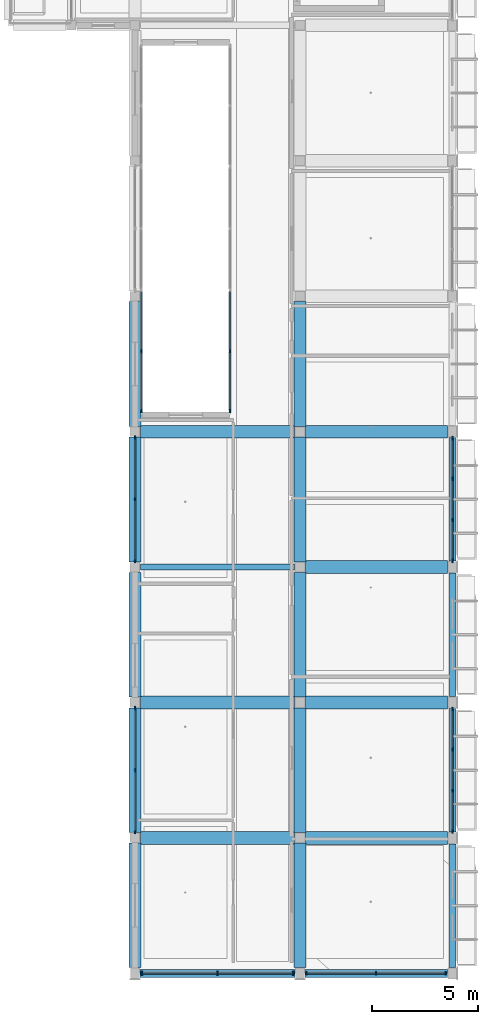
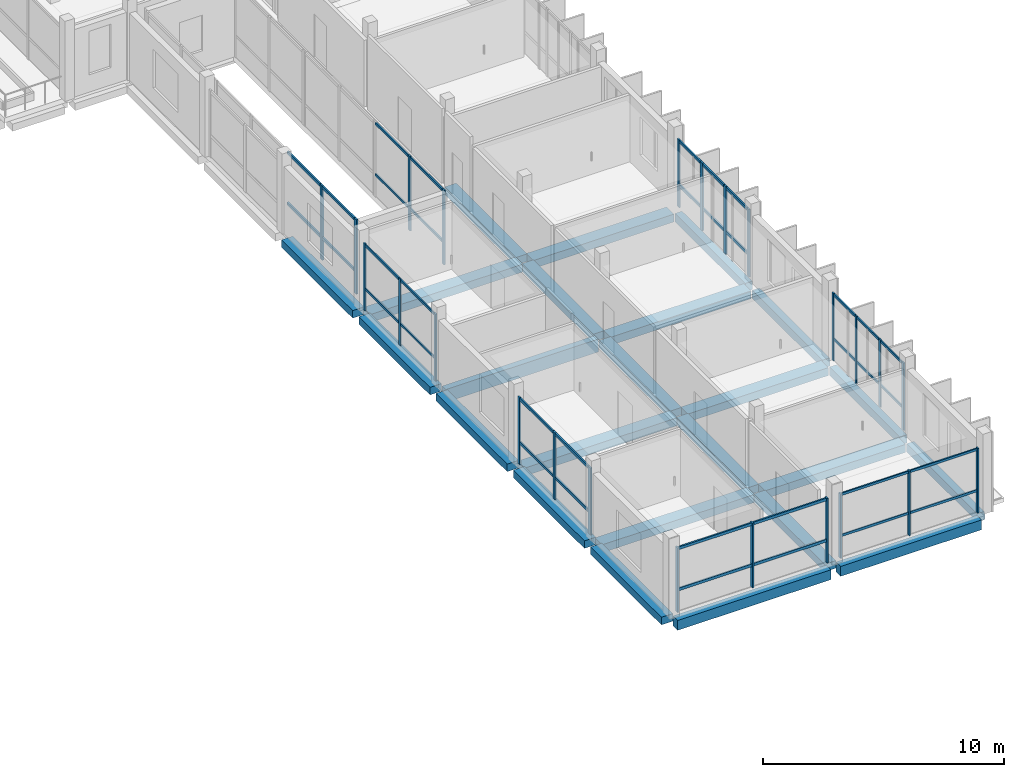
# One storey, part 31 of 86: 40 members, 24 beams, 8 elements without a shape of their own.
"""IFC4 building model written with IfcOpenShell, lengths in metres."""

from ifc_helpers import new_model, si_unit, derived_unit, direction, frame, origin, origin_2d, place, context, subcontext, project, spatial, rectangle, extrude, material, material_profile, profile_set, type_object, element, aggregate, save


model = new_model("IFC4")

# Units and contexts
model_context = context("Model", 3, precision=1e-05, world=origin(), true_north=direction((0.0, 1.0)))
body_context = subcontext(model_context, "Body", "Model", "MODEL_VIEW")
ifc_project = project(units=[si_unit("LENGTHUNIT", "METRE"), si_unit("AREAUNIT", "SQUARE_METRE"), si_unit("VOLUMEUNIT", "CUBIC_METRE"), si_unit("PLANEANGLEUNIT", "RADIAN"), si_unit("MASSUNIT", "GRAM", prefix="KILO"), derived_unit("THERMALTRANSMITTANCEUNIT", [(si_unit("POWERUNIT", "WATT"), 1), (si_unit("LENGTHUNIT", "METRE"), -2), (si_unit("THERMODYNAMICTEMPERATUREUNIT", "KELVIN"), -1)])], contexts=[model_context])

# Site, building, storey
site_placement = place(None, origin())
site = spatial("IfcSite", under=ifc_project, at=site_placement, CompositionType="ELEMENT")
building_placement = place(site_placement, origin())
building = spatial("IfcBuilding", under=site, at=building_placement, Name="Braskholm Square Health Centre", CompositionType="ELEMENT")
storey_placement = place(building_placement, frame((0.0, 0.0, 13.5)))
storey = spatial("IfcBuildingStorey", under=building, at=storey_placement, Name="L04", CompositionType="ELEMENT", Elevation=13.5)

# Curtain wall, members
ifc_material_1 = material(Name="Low-E triple insulating glass (VLT 0.64)", Category="glass")
curtain_wall_type_1 = type_object("IfcCurtainWallType", Name="UnitisedCurtainWall6200x3650", PredefinedType="NOTDEFINED", material=ifc_material_1)
curtain_wall_1_placement = place(storey_placement, origin())
curtain_wall_1 = element("IfcCurtainWall", 1, at=curtain_wall_1_placement, inside=storey, type_object=curtain_wall_type_1, Name="East Outer unitised curtain wall CW-L04-0068", PredefinedType="NOTDEFINED")
ifc_material_2 = material(Name="Architectural bronze anodised aluminium", Category="aluminium")
ifc_material_profile_1 = material_profile(ifc_material_2, rectangle(XDim=0.06494140625, YDim=0.14990234375, at=origin_2d()), Name="ALU-65X150")
ifc_profile_set_1 = profile_set([ifc_material_profile_1], Name="Architectural bronze anodised aluminium")
member_type_1 = type_object("IfcMemberType", Name="CurtainWallMullion65x150", PredefinedType="MULLION", material=ifc_profile_set_1)
member_1_placement = place(storey_placement, frame((163.800048828125, 10.9052734375, 0.0), z_axis=(0.0, 0.0, 1.0), x_axis=(1.0, 0.0, 0.0)))
member_1 = element("IfcMember", 2, at=member_1_placement, type_object=member_type_1, Name="CW-L04-0068 vertical mullion 1", PredefinedType="MULLION", context=body_context, shape_type="SweptSolid", body=[
    extrude(rectangle(XDim=0.06494140625, YDim=0.14990234375, at=origin_2d()), origin(), (0.0, 0.0, 1.0), 3.419921875),
])
member_2_placement = place(storey_placement, frame((163.800048828125, 12.8232421875, 0.0), z_axis=(0.0, 0.0, 1.0), x_axis=(1.0, 0.0, 0.0)))
member_2 = element("IfcMember", 3, at=member_2_placement, type_object=member_type_1, Name="CW-L04-0068 vertical mullion 2", PredefinedType="MULLION", context=body_context, shape_type="SweptSolid", body=[
    extrude(rectangle(XDim=0.06494140625, YDim=0.14990234375, at=origin_2d()), origin(), (0.0, 0.0, 1.0), 3.419921875),
])
member_3_placement = place(storey_placement, frame((163.800048828125, 14.776611328125, 0.0), z_axis=(0.0, 0.0, 1.0), x_axis=(1.0, 0.0, 0.0)))
member_3 = element("IfcMember", 4, at=member_3_placement, type_object=member_type_1, Name="CW-L04-0068 vertical mullion 3", PredefinedType="MULLION", context=body_context, shape_type="SweptSolid", body=[
    extrude(rectangle(XDim=0.06494140625, YDim=0.14990234375, at=origin_2d()), origin(), (0.0, 0.0, 1.0), 3.419921875),
])
member_4_placement = place(storey_placement, frame((163.800048828125, 16.69482421875, 0.0), z_axis=(0.0, 0.0, 1.0), x_axis=(1.0, 0.0, 0.0)))
member_4 = element("IfcMember", 5, at=member_4_placement, type_object=member_type_1, Name="CW-L04-0068 vertical mullion 4", PredefinedType="MULLION", context=body_context, shape_type="SweptSolid", body=[
    extrude(rectangle(XDim=0.06494140625, YDim=0.14990234375, at=origin_2d()), origin(), (0.0, 0.0, 1.0), 3.419921875),
])

curtain_wall_2_placement = place(storey_placement, origin())
curtain_wall_2 = element("IfcCurtainWall", 6, at=curtain_wall_2_placement, inside=storey, type_object=curtain_wall_type_1, Name="East Valley unitised curtain wall CW-L04-0130", PredefinedType="NOTDEFINED")
member_5_placement = place(storey_placement, frame((148.800048828125, 29.5244140625, 0.0), z_axis=(0.0, 0.0, 1.0), x_axis=(1.0, 0.0, 0.0)))
member_5 = element("IfcMember", 7, at=member_5_placement, type_object=member_type_1, Name="CW-L04-0130 vertical mullion 1", PredefinedType="MULLION", context=body_context, shape_type="SweptSolid", body=[
    extrude(rectangle(XDim=0.06494140625, YDim=0.14990234375, at=origin_2d()), origin(), (0.0, 0.0, 1.0), 3.389892578125),
])
member_6_placement = place(storey_placement, frame((148.800048828125, 26.60009765625, 0.0), z_axis=(0.0, 0.0, 1.0), x_axis=(1.0, 0.0, 0.0)))
member_6 = element("IfcMember", 8, at=member_6_placement, type_object=member_type_1, Name="CW-L04-0130 vertical mullion 2", PredefinedType="MULLION", context=body_context, shape_type="SweptSolid", body=[
    extrude(rectangle(XDim=0.06494140625, YDim=0.14990234375, at=origin_2d()), origin(), (0.0, 0.0, 1.0), 3.389892578125),
])
member_7_placement = place(storey_placement, frame((148.800048828125, 23.675537109375, 0.0), z_axis=(0.0, 0.0, 1.0), x_axis=(1.0, 0.0, 0.0)))
member_7 = element("IfcMember", 9, at=member_7_placement, type_object=member_type_1, Name="CW-L04-0130 vertical mullion 3", PredefinedType="MULLION", context=body_context, shape_type="SweptSolid", body=[
    extrude(rectangle(XDim=0.06494140625, YDim=0.14990234375, at=origin_2d()), origin(), (0.0, 0.0, 1.0), 3.389892578125),
])

curtain_wall_3_placement = place(storey_placement, origin())
curtain_wall_3 = element("IfcCurtainWall", 10, at=curtain_wall_3_placement, inside=storey, type_object=curtain_wall_type_1, Name="Wing End unitised curtain wall CW-L04-0162", PredefinedType="NOTDEFINED")
member_8_placement = place(storey_placement, frame((156.919921875, 4.199951171875, 0.0), z_axis=(0.0, 0.0, 1.0), x_axis=(1.0, 0.0, 0.0)))
member_8 = element("IfcMember", 11, at=member_8_placement, type_object=member_type_1, Name="CW-L04-0162 vertical mullion 1", PredefinedType="MULLION", context=body_context, shape_type="SweptSolid", body=[
    extrude(rectangle(XDim=0.06494140625, YDim=0.14990234375, at=origin_2d()), origin(), (0.0, 0.0, 1.0), 3.27001953125),
])
member_9_placement = place(storey_placement, frame((160.199951171875, 4.199951171875, 0.0), z_axis=(0.0, 0.0, 1.0), x_axis=(1.0, 0.0, 0.0)))
member_9 = element("IfcMember", 12, at=member_9_placement, type_object=member_type_1, Name="CW-L04-0162 vertical mullion 2", PredefinedType="MULLION", context=body_context, shape_type="SweptSolid", body=[
    extrude(rectangle(XDim=0.06494140625, YDim=0.14990234375, at=origin_2d()), origin(), (0.0, 0.0, 1.0), 3.27001953125),
])
member_10_placement = place(storey_placement, frame((163.480224609375, 4.199951171875, 0.0), z_axis=(0.0, 0.0, 1.0), x_axis=(1.0, 0.0, 0.0)))
member_10 = element("IfcMember", 13, at=member_10_placement, type_object=member_type_1, Name="CW-L04-0162 vertical mullion 3", PredefinedType="MULLION", context=body_context, shape_type="SweptSolid", body=[
    extrude(rectangle(XDim=0.06494140625, YDim=0.14990234375, at=origin_2d()), origin(), (0.0, 0.0, 1.0), 3.27001953125),
])

curtain_wall_type_2 = type_object("IfcCurtainWallType", Name="UnitisedCurtainWall5400x3800", PredefinedType="NOTDEFINED", material=ifc_material_1)
curtain_wall_4_placement = place(storey_placement, origin())
curtain_wall_4 = element("IfcCurtainWall", 14, at=curtain_wall_4_placement, inside=storey, type_object=curtain_wall_type_2, Name="EC1 Court E unitised curtain wall CW-L04-0340", PredefinedType="NOTDEFINED")
member_11_placement = place(storey_placement, frame((153.300048828125, 33.60107421875, 0.0), z_axis=(0.0, 0.0, 1.0), x_axis=(1.0, 0.0, 0.0)))
member_11 = element("IfcMember", 15, at=member_11_placement, type_object=member_type_1, Name="CW-L04-0340 vertical mullion 2", PredefinedType="MULLION", context=body_context, shape_type="SweptSolid", body=[
    extrude(rectangle(XDim=0.06494140625, YDim=0.14990234375, at=origin_2d()), origin(), (0.0, 0.0, 1.0), 3.77001953125),
])
member_12_placement = place(storey_placement, frame((153.300048828125, 30.7744140625, 0.0), z_axis=(0.0, 0.0, 1.0), x_axis=(1.0, 0.0, 0.0)))
member_12 = element("IfcMember", 16, at=member_12_placement, type_object=member_type_1, Name="CW-L04-0340 vertical mullion 3", PredefinedType="MULLION", context=body_context, shape_type="SweptSolid", body=[
    extrude(rectangle(XDim=0.06494140625, YDim=0.14990234375, at=origin_2d()), origin(), (0.0, 0.0, 1.0), 3.77001953125),
])

curtain_wall_5_placement = place(storey_placement, origin())
curtain_wall_5 = element("IfcCurtainWall", 17, at=curtain_wall_5_placement, inside=storey, type_object=curtain_wall_type_1, Name="East Outer unitised curtain wall CW-L04-0069", PredefinedType="NOTDEFINED")
ifc_material_profile_2 = material_profile(ifc_material_2, rectangle(XDim=0.074951171875, YDim=0.179931640625, at=origin_2d()), Name="ALU-75X180")
ifc_profile_set_2 = profile_set([ifc_material_profile_2], Name="Architectural bronze anodised aluminium")
member_type_2 = type_object("IfcMemberType", Name="CurtainWallMullion75x180", PredefinedType="MULLION", material=ifc_profile_set_2)
member_13_placement = place(storey_placement, frame((163.800048828125, 23.705078125, 0.0), z_axis=(0.0, 0.0, 1.0), x_axis=(1.0, 0.0, 0.0)))
member_13 = element("IfcMember", 18, at=member_13_placement, type_object=member_type_2, Name="CW-L04-0069 vertical mullion 1", PredefinedType="MULLION", context=body_context, shape_type="SweptSolid", body=[
    extrude(rectangle(XDim=0.074951171875, YDim=0.179931640625, at=origin_2d()), origin(), (0.0, 0.0, 1.0), 3.419921875),
])
member_14_placement = place(storey_placement, frame((163.800048828125, 25.623291015625, 0.0), z_axis=(0.0, 0.0, 1.0), x_axis=(1.0, 0.0, 0.0)))
member_14 = element("IfcMember", 19, at=member_14_placement, type_object=member_type_2, Name="CW-L04-0069 vertical mullion 2", PredefinedType="MULLION", context=body_context, shape_type="SweptSolid", body=[
    extrude(rectangle(XDim=0.074951171875, YDim=0.179931640625, at=origin_2d()), origin(), (0.0, 0.0, 1.0), 3.419921875),
])
member_15_placement = place(storey_placement, frame((163.800048828125, 27.57666015625, 0.0), z_axis=(0.0, 0.0, 1.0), x_axis=(1.0, 0.0, 0.0)))
member_15 = element("IfcMember", 20, at=member_15_placement, type_object=member_type_2, Name="CW-L04-0069 vertical mullion 3", PredefinedType="MULLION", context=body_context, shape_type="SweptSolid", body=[
    extrude(rectangle(XDim=0.074951171875, YDim=0.179931640625, at=origin_2d()), origin(), (0.0, 0.0, 1.0), 3.419921875),
])
member_16_placement = place(storey_placement, frame((163.800048828125, 29.494873046875, 0.0), z_axis=(0.0, 0.0, 1.0), x_axis=(1.0, 0.0, 0.0)))
member_16 = element("IfcMember", 21, at=member_16_placement, type_object=member_type_2, Name="CW-L04-0069 vertical mullion 4", PredefinedType="MULLION", context=body_context, shape_type="SweptSolid", body=[
    extrude(rectangle(XDim=0.074951171875, YDim=0.179931640625, at=origin_2d()), origin(), (0.0, 0.0, 1.0), 3.419921875),
])

curtain_wall_6_placement = place(storey_placement, origin())
curtain_wall_6 = element("IfcCurtainWall", 22, at=curtain_wall_6_placement, inside=storey, type_object=curtain_wall_type_1, Name="East Valley unitised curtain wall CW-L04-0129", PredefinedType="NOTDEFINED")
member_17_placement = place(storey_placement, frame((148.800048828125, 16.724609375, 0.0), z_axis=(0.0, 0.0, 1.0), x_axis=(1.0, 0.0, 0.0)))
member_17 = element("IfcMember", 23, at=member_17_placement, type_object=member_type_2, Name="CW-L04-0129 vertical mullion 1", PredefinedType="MULLION", context=body_context, shape_type="SweptSolid", body=[
    extrude(rectangle(XDim=0.074951171875, YDim=0.179931640625, at=origin_2d()), origin(), (0.0, 0.0, 1.0), 3.389892578125),
])
member_18_placement = place(storey_placement, frame((148.800048828125, 13.800048828125, 0.0), z_axis=(0.0, 0.0, 1.0), x_axis=(1.0, 0.0, 0.0)))
member_18 = element("IfcMember", 24, at=member_18_placement, type_object=member_type_2, Name="CW-L04-0129 vertical mullion 2", PredefinedType="MULLION", context=body_context, shape_type="SweptSolid", body=[
    extrude(rectangle(XDim=0.074951171875, YDim=0.179931640625, at=origin_2d()), origin(), (0.0, 0.0, 1.0), 3.389892578125),
])
member_19_placement = place(storey_placement, frame((148.800048828125, 10.87548828125, 0.0), z_axis=(0.0, 0.0, 1.0), x_axis=(1.0, 0.0, 0.0)))
member_19 = element("IfcMember", 25, at=member_19_placement, type_object=member_type_2, Name="CW-L04-0129 vertical mullion 3", PredefinedType="MULLION", context=body_context, shape_type="SweptSolid", body=[
    extrude(rectangle(XDim=0.074951171875, YDim=0.179931640625, at=origin_2d()), origin(), (0.0, 0.0, 1.0), 3.389892578125),
])

curtain_wall_7_placement = place(storey_placement, origin())
curtain_wall_7 = element("IfcCurtainWall", 26, at=curtain_wall_7_placement, inside=storey, type_object=curtain_wall_type_1, Name="Wing End unitised curtain wall CW-L04-0161", PredefinedType="NOTDEFINED")
member_20_placement = place(storey_placement, frame((149.123291015625, 4.199951171875, 0.0), z_axis=(0.0, 0.0, 1.0), x_axis=(1.0, 0.0, 0.0)))
member_20 = element("IfcMember", 27, at=member_20_placement, type_object=member_type_2, Name="CW-L04-0161 vertical mullion 1", PredefinedType="MULLION", context=body_context, shape_type="SweptSolid", body=[
    extrude(rectangle(XDim=0.074951171875, YDim=0.179931640625, at=origin_2d()), origin(), (0.0, 0.0, 1.0), 3.27001953125),
])
member_21_placement = place(storey_placement, frame((152.699951171875, 4.199951171875, 0.0), z_axis=(0.0, 0.0, 1.0), x_axis=(1.0, 0.0, 0.0)))
member_21 = element("IfcMember", 28, at=member_21_placement, type_object=member_type_2, Name="CW-L04-0161 vertical mullion 2", PredefinedType="MULLION", context=body_context, shape_type="SweptSolid", body=[
    extrude(rectangle(XDim=0.074951171875, YDim=0.179931640625, at=origin_2d()), origin(), (0.0, 0.0, 1.0), 3.27001953125),
])
member_22_placement = place(storey_placement, frame((156.276611328125, 4.199951171875, 0.0), z_axis=(0.0, 0.0, 1.0), x_axis=(1.0, 0.0, 0.0)))
member_22 = element("IfcMember", 29, at=member_22_placement, type_object=member_type_2, Name="CW-L04-0161 vertical mullion 3", PredefinedType="MULLION", context=body_context, shape_type="SweptSolid", body=[
    extrude(rectangle(XDim=0.074951171875, YDim=0.179931640625, at=origin_2d()), origin(), (0.0, 0.0, 1.0), 3.27001953125),
])

curtain_wall_8_placement = place(storey_placement, origin())
curtain_wall_8 = element("IfcCurtainWall", 30, at=curtain_wall_8_placement, inside=storey, type_object=curtain_wall_type_2, Name="EC1 Court W unitised curtain wall CW-L04-0339", PredefinedType="NOTDEFINED")
member_23_placement = place(storey_placement, frame((149.10009765625, 30.7744140625, 0.0), z_axis=(0.0, 0.0, 1.0), x_axis=(1.0, 0.0, 0.0)))
member_23 = element("IfcMember", 31, at=member_23_placement, type_object=member_type_2, Name="CW-L04-0339 vertical mullion 1", PredefinedType="MULLION", context=body_context, shape_type="SweptSolid", body=[
    extrude(rectangle(XDim=0.074951171875, YDim=0.179931640625, at=origin_2d()), origin(), (0.0, 0.0, 1.0), 3.77001953125),
])
member_24_placement = place(storey_placement, frame((149.10009765625, 33.60107421875, 0.0), z_axis=(0.0, 0.0, 1.0), x_axis=(1.0, 0.0, 0.0)))
member_24 = element("IfcMember", 32, at=member_24_placement, type_object=member_type_2, Name="CW-L04-0339 vertical mullion 2", PredefinedType="MULLION", context=body_context, shape_type="SweptSolid", body=[
    extrude(rectangle(XDim=0.074951171875, YDim=0.179931640625, at=origin_2d()), origin(), (0.0, 0.0, 1.0), 3.77001953125),
])

# Member
ifc_material_profile_3 = material_profile(ifc_material_2, rectangle(XDim=0.06494140625, YDim=0.1201171875, at=origin_2d()), Name="ALU-65X120")
ifc_profile_set_3 = profile_set([ifc_material_profile_3], Name="Architectural bronze anodised aluminium")
member_type_3 = type_object("IfcMemberType", Name="CurtainWallTransom65x120", PredefinedType="USERDEFINED", material=ifc_profile_set_3)
member_25_placement = place(storey_placement, frame((163.800048828125, 10.9150390625, 1.1201171875), z_axis=(0.0, 1.0, 0.0), x_axis=(-1.0, 0.0, 0.0)))
member_25 = element("IfcMember", 33, at=member_25_placement, type_object=member_type_3, Name="CW-L04-0068 horizontal transom 1", ObjectType="TRANSOM", PredefinedType="USERDEFINED", context=body_context, shape_type="SweptSolid", body=[
    extrude(rectangle(XDim=0.06494140625, YDim=0.1201171875, at=origin_2d()), origin(), (0.0, 0.0, 1.0), 5.77001953125),
])

member_26_placement = place(storey_placement, frame((163.800048828125, 10.9150390625, 3.35009765625), z_axis=(0.0, 1.0, 0.0), x_axis=(-1.0, 0.0, 0.0)))
member_26 = element("IfcMember", 34, at=member_26_placement, type_object=member_type_3, Name="CW-L04-0068 horizontal transom 2", ObjectType="TRANSOM", PredefinedType="USERDEFINED", context=body_context, shape_type="SweptSolid", body=[
    extrude(rectangle(XDim=0.06494140625, YDim=0.1201171875, at=origin_2d()), origin(), (0.0, 0.0, 1.0), 5.77001953125),
])

aggregate(curtain_wall_1, [member_1, member_2, member_3, member_4, member_25, member_26])

member_27_placement = place(storey_placement, frame((148.800048828125, 29.514892578125, 1.1201171875), z_axis=(0.0, -1.0, 0.0), x_axis=(1.0, 0.0, 0.0)))
member_27 = element("IfcMember", 35, at=member_27_placement, type_object=member_type_3, Name="CW-L04-0130 horizontal transom 1", ObjectType="TRANSOM", PredefinedType="USERDEFINED", context=body_context, shape_type="SweptSolid", body=[
    extrude(rectangle(XDim=0.06494140625, YDim=0.1201171875, at=origin_2d()), origin(), (0.0, 0.0, 1.0), 5.829833984375),
])

member_28_placement = place(storey_placement, frame((148.800048828125, 29.514892578125, 3.320068359375), z_axis=(0.0, -1.0, 0.0), x_axis=(1.0, 0.0, 0.0)))
member_28 = element("IfcMember", 36, at=member_28_placement, type_object=member_type_3, Name="CW-L04-0130 horizontal transom 2", ObjectType="TRANSOM", PredefinedType="USERDEFINED", context=body_context, shape_type="SweptSolid", body=[
    extrude(rectangle(XDim=0.06494140625, YDim=0.1201171875, at=origin_2d()), origin(), (0.0, 0.0, 1.0), 5.829833984375),
])

aggregate(curtain_wall_2, [member_5, member_6, member_7, member_27, member_28])

member_29_placement = place(storey_placement, frame((156.925048828125, 4.199951171875, 1.1201171875), z_axis=(1.0, 0.0, 0.0), x_axis=(0.0, 1.0, 0.0)))
member_29 = element("IfcMember", 37, at=member_29_placement, type_object=member_type_3, Name="CW-L04-0162 horizontal transom 1", ObjectType="TRANSOM", PredefinedType="USERDEFINED", context=body_context, shape_type="SweptSolid", body=[
    extrude(rectangle(XDim=0.06494140625, YDim=0.1201171875, at=origin_2d()), origin(), (0.0, 0.0, 1.0), 6.550048828125),
])

member_30_placement = place(storey_placement, frame((156.925048828125, 4.199951171875, 3.199951171875), z_axis=(1.0, 0.0, 0.0), x_axis=(0.0, 1.0, 0.0)))
member_30 = element("IfcMember", 38, at=member_30_placement, type_object=member_type_3, Name="CW-L04-0162 horizontal transom 2", ObjectType="TRANSOM", PredefinedType="USERDEFINED", context=body_context, shape_type="SweptSolid", body=[
    extrude(rectangle(XDim=0.06494140625, YDim=0.1201171875, at=origin_2d()), origin(), (0.0, 0.0, 1.0), 6.550048828125),
])

aggregate(curtain_wall_3, [member_8, member_9, member_10, member_29, member_30])

member_31_placement = place(storey_placement, frame((153.300048828125, 36.4169921875, 1.1201171875), z_axis=(0.0, -1.0, 0.0), x_axis=(1.0, 0.0, 0.0)))
member_31 = element("IfcMember", 39, at=member_31_placement, type_object=member_type_3, Name="CW-L04-0340 horizontal transom 1", ObjectType="TRANSOM", PredefinedType="USERDEFINED", context=body_context, shape_type="SweptSolid", body=[
    extrude(rectangle(XDim=0.06494140625, YDim=0.1201171875, at=origin_2d()), origin(), (0.0, 0.0, 1.0), 5.632080078125),
])

member_32_placement = place(storey_placement, frame((153.300048828125, 36.4169921875, 3.699951171875), z_axis=(0.0, -1.0, 0.0), x_axis=(1.0, 0.0, 0.0)))
member_32 = element("IfcMember", 40, at=member_32_placement, type_object=member_type_3, Name="CW-L04-0340 horizontal transom 2", ObjectType="TRANSOM", PredefinedType="USERDEFINED", context=body_context, shape_type="SweptSolid", body=[
    extrude(rectangle(XDim=0.06494140625, YDim=0.1201171875, at=origin_2d()), origin(), (0.0, 0.0, 1.0), 5.632080078125),
])

aggregate(curtain_wall_4, [member_11, member_12, member_31, member_32])

ifc_material_profile_4 = material_profile(ifc_material_2, rectangle(XDim=0.074951171875, YDim=0.139892578125, at=origin_2d()), Name="ALU-75X140")
ifc_profile_set_4 = profile_set([ifc_material_profile_4], Name="Architectural bronze anodised aluminium")
member_type_4 = type_object("IfcMemberType", Name="CurtainWallTransom75x140", PredefinedType="USERDEFINED", material=ifc_profile_set_4)
member_33_placement = place(storey_placement, frame((163.800048828125, 23.715087890625, 1.1201171875), z_axis=(0.0, 1.0, 0.0), x_axis=(-1.0, 0.0, 0.0)))
member_33 = element("IfcMember", 41, at=member_33_placement, type_object=member_type_4, Name="CW-L04-0069 horizontal transom 1", ObjectType="TRANSOM", PredefinedType="USERDEFINED", context=body_context, shape_type="SweptSolid", body=[
    extrude(rectangle(XDim=0.074951171875, YDim=0.139892578125, at=origin_2d()), origin(), (0.0, 0.0, 1.0), 5.77001953125),
])

member_34_placement = place(storey_placement, frame((163.800048828125, 23.715087890625, 3.35009765625), z_axis=(0.0, 1.0, 0.0), x_axis=(-1.0, 0.0, 0.0)))
member_34 = element("IfcMember", 42, at=member_34_placement, type_object=member_type_4, Name="CW-L04-0069 horizontal transom 2", ObjectType="TRANSOM", PredefinedType="USERDEFINED", context=body_context, shape_type="SweptSolid", body=[
    extrude(rectangle(XDim=0.074951171875, YDim=0.139892578125, at=origin_2d()), origin(), (0.0, 0.0, 1.0), 5.77001953125),
])

aggregate(curtain_wall_5, [member_13, member_14, member_15, member_16, member_33, member_34])

member_35_placement = place(storey_placement, frame((148.800048828125, 16.715087890625, 1.1201171875), z_axis=(0.0, -1.0, 0.0), x_axis=(1.0, 0.0, 0.0)))
member_35 = element("IfcMember", 43, at=member_35_placement, type_object=member_type_4, Name="CW-L04-0129 horizontal transom 1", ObjectType="TRANSOM", PredefinedType="USERDEFINED", context=body_context, shape_type="SweptSolid", body=[
    extrude(rectangle(XDim=0.074951171875, YDim=0.139892578125, at=origin_2d()), origin(), (0.0, 0.0, 1.0), 5.830078125),
])

member_36_placement = place(storey_placement, frame((148.800048828125, 16.715087890625, 3.320068359375), z_axis=(0.0, -1.0, 0.0), x_axis=(1.0, 0.0, 0.0)))
member_36 = element("IfcMember", 44, at=member_36_placement, type_object=member_type_4, Name="CW-L04-0129 horizontal transom 2", ObjectType="TRANSOM", PredefinedType="USERDEFINED", context=body_context, shape_type="SweptSolid", body=[
    extrude(rectangle(XDim=0.074951171875, YDim=0.139892578125, at=origin_2d()), origin(), (0.0, 0.0, 1.0), 5.830078125),
])

aggregate(curtain_wall_6, [member_17, member_18, member_19, member_35, member_36])

member_37_placement = place(storey_placement, frame((149.125, 4.199951171875, 1.1201171875), z_axis=(1.0, 0.0, 0.0), x_axis=(0.0, 1.0, 0.0)))
member_37 = element("IfcMember", 45, at=member_37_placement, type_object=member_type_4, Name="CW-L04-0161 horizontal transom 1", ObjectType="TRANSOM", PredefinedType="USERDEFINED", context=body_context, shape_type="SweptSolid", body=[
    extrude(rectangle(XDim=0.074951171875, YDim=0.139892578125, at=origin_2d()), origin(), (0.0, 0.0, 1.0), 7.14990234375),
])

member_38_placement = place(storey_placement, frame((149.125, 4.199951171875, 3.199951171875), z_axis=(1.0, 0.0, 0.0), x_axis=(0.0, 1.0, 0.0)))
member_38 = element("IfcMember", 46, at=member_38_placement, type_object=member_type_4, Name="CW-L04-0161 horizontal transom 2", ObjectType="TRANSOM", PredefinedType="USERDEFINED", context=body_context, shape_type="SweptSolid", body=[
    extrude(rectangle(XDim=0.074951171875, YDim=0.139892578125, at=origin_2d()), origin(), (0.0, 0.0, 1.0), 7.14990234375),
])

aggregate(curtain_wall_7, [member_20, member_21, member_22, member_37, member_38])

member_39_placement = place(storey_placement, frame((149.10009765625, 30.784912109375, 1.1201171875), z_axis=(0.0, 1.0, 0.0), x_axis=(-1.0, 0.0, 0.0)))
member_39 = element("IfcMember", 47, at=member_39_placement, type_object=member_type_4, Name="CW-L04-0339 horizontal transom 1", ObjectType="TRANSOM", PredefinedType="USERDEFINED", context=body_context, shape_type="SweptSolid", body=[
    extrude(rectangle(XDim=0.074951171875, YDim=0.139892578125, at=origin_2d()), origin(), (0.0, 0.0, 1.0), 5.632080078125),
])

member_40_placement = place(storey_placement, frame((149.10009765625, 30.784912109375, 3.699951171875), z_axis=(0.0, 1.0, 0.0), x_axis=(-1.0, 0.0, 0.0)))
member_40 = element("IfcMember", 48, at=member_40_placement, type_object=member_type_4, Name="CW-L04-0339 horizontal transom 2", ObjectType="TRANSOM", PredefinedType="USERDEFINED", context=body_context, shape_type="SweptSolid", body=[
    extrude(rectangle(XDim=0.074951171875, YDim=0.139892578125, at=origin_2d()), origin(), (0.0, 0.0, 1.0), 5.632080078125),
])

aggregate(curtain_wall_8, [member_23, member_24, member_39, member_40])

# Beams
ifc_material_3 = material(Name="Concrete C35/45 (f'c = 35 MPa)", Category="concrete")
ifc_material_profile_5 = material_profile(ifc_material_3, rectangle(XDim=0.550048828125, YDim=0.3798828125, at=origin_2d()), Name="RCB-550X380")
ifc_profile_set_5 = profile_set([ifc_material_profile_5], Name="Concrete C35/45 (f'c = 35 MPa)")
beam_type_1 = type_object("IfcBeamType", Name="PrimaryBandBeam550x380", PredefinedType="BEAM", material=ifc_profile_set_5)
beam_1_placement = place(storey_placement, frame((148.800048828125, 4.47998046875, -0.43994140625), z_axis=(0.0, 1.0, 0.0), x_axis=(-1.0, 0.0, 0.0)))
element("IfcBeam", 49, at=beam_1_placement, inside=storey, type_object=beam_type_1, Name="Beam 20/A-B L04", PredefinedType="BEAM", context=body_context, shape_type="SweptSolid", body=[
    extrude(rectangle(XDim=0.550048828125, YDim=0.3798828125, at=origin_2d()), origin(), (0.0, 0.0, 1.0), 5.8701171875),
])
for number, where, z_axis, x_axis, name in (
    (50, (148.800048828125, 10.85009765625, -0.43994140625), (0.0, 1.0, 0.0), (-1.0, 0.0, 0.0), "Beam 20/B-C L04"),
    (51, (148.800048828125, 17.25, -0.43994140625), (0.0, 1.0, 0.0), (-1.0, 0.0, 0.0), "Beam 20/C-D L04"),
):
    element("IfcBeam", number, at=place(storey_placement, frame(where, z_axis=z_axis, x_axis=x_axis)), inside=storey, type_object=beam_type_1, Name=name, PredefinedType="BEAM", context=body_context, shape_type="SweptSolid", body=[
        extrude(rectangle(XDim=0.550048828125, YDim=0.3798828125, at=origin_2d()), origin(), (0.0, 0.0, 1.0), 5.89990234375),
    ])
beam_2_placement = place(storey_placement, frame((148.800048828125, 23.64990234375, -0.43994140625), z_axis=(0.0, 1.0, 0.0), x_axis=(-1.0, 0.0, 0.0)))
element("IfcBeam", 52, at=beam_2_placement, inside=storey, type_object=beam_type_1, Name="Beam 20/D-E L04", PredefinedType="BEAM", context=body_context, shape_type="SweptSolid", body=[
    extrude(rectangle(XDim=0.550048828125, YDim=0.3798828125, at=origin_2d()), origin(), (0.0, 0.0, 1.0), 5.900146484375),
])
beam_3_placement = place(storey_placement, frame((148.800048828125, 30.050048828125, -0.43994140625), z_axis=(0.0, 1.0, 0.0), x_axis=(-1.0, 0.0, 0.0)))
element("IfcBeam", 53, at=beam_3_placement, inside=storey, type_object=beam_type_1, Name="Beam 20/E-F L04", PredefinedType="BEAM", context=body_context, shape_type="SweptSolid", body=[
    extrude(rectangle(XDim=0.550048828125, YDim=0.3798828125, at=origin_2d()), origin(), (0.0, 0.0, 1.0), 5.89990234375),
])
beam_4_placement = place(storey_placement, frame((156.60009765625, 4.47998046875, -0.489990234375), z_axis=(0.0, 1.0, 0.0), x_axis=(-1.0, 0.0, 0.0)))
element("IfcBeam", 54, at=beam_4_placement, inside=storey, type_object=beam_type_1, Name="Beam 21/A-B L04", PredefinedType="BEAM", context=body_context, shape_type="SweptSolid", body=[
    extrude(rectangle(XDim=0.550048828125, YDim=0.3798828125, at=origin_2d()), origin(), (0.0, 0.0, 1.0), 5.8701171875),
])
for number, where, z_axis, x_axis, name in (
    (55, (156.60009765625, 10.85009765625, -0.489990234375), (0.0, 1.0, 0.0), (-1.0, 0.0, 0.0), "Beam 21/B-C L04"),
    (56, (156.60009765625, 17.25, -0.489990234375), (0.0, 1.0, 0.0), (-1.0, 0.0, 0.0), "Beam 21/C-D L04"),
):
    element("IfcBeam", number, at=place(storey_placement, frame(where, z_axis=z_axis, x_axis=x_axis)), inside=storey, type_object=beam_type_1, Name=name, PredefinedType="BEAM", context=body_context, shape_type="SweptSolid", body=[
        extrude(rectangle(XDim=0.550048828125, YDim=0.3798828125, at=origin_2d()), origin(), (0.0, 0.0, 1.0), 5.89990234375),
    ])
beam_5_placement = place(storey_placement, frame((156.60009765625, 23.64990234375, -0.489990234375), z_axis=(0.0, 1.0, 0.0), x_axis=(-1.0, 0.0, 0.0)))
element("IfcBeam", 57, at=beam_5_placement, inside=storey, type_object=beam_type_1, Name="Beam 21/D-E L04", PredefinedType="BEAM", context=body_context, shape_type="SweptSolid", body=[
    extrude(rectangle(XDim=0.550048828125, YDim=0.3798828125, at=origin_2d()), origin(), (0.0, 0.0, 1.0), 5.900146484375),
])
beam_6_placement = place(storey_placement, frame((156.60009765625, 30.050048828125, -0.489990234375), z_axis=(0.0, 1.0, 0.0), x_axis=(-1.0, 0.0, 0.0)))
element("IfcBeam", 58, at=beam_6_placement, inside=storey, type_object=beam_type_1, Name="Beam 21/E-F L04", PredefinedType="BEAM", context=body_context, shape_type="SweptSolid", body=[
    extrude(rectangle(XDim=0.550048828125, YDim=0.3798828125, at=origin_2d()), origin(), (0.0, 0.0, 1.0), 5.89990234375),
])
ifc_material_profile_6 = material_profile(ifc_material_3, rectangle(XDim=0.60009765625, YDim=0.39990234375, at=origin_2d()), Name="RCB-600X400")
ifc_profile_set_6 = profile_set([ifc_material_profile_6], Name="Concrete C35/45 (f'c = 35 MPa)")
beam_type_2 = type_object("IfcBeamType", Name="PrimaryBandBeam600x400", PredefinedType="BEAM", material=ifc_profile_set_6)
beam_7_placement = place(storey_placement, frame((149.050048828125, 10.60009765625, -0.5), z_axis=(1.0, 0.0, 0.0), x_axis=(0.0, 1.0, 0.0)))
element("IfcBeam", 59, at=beam_7_placement, inside=storey, type_object=beam_type_2, Name="Beam 20-21/B L04", PredefinedType="BEAM", context=body_context, shape_type="SweptSolid", body=[
    extrude(rectangle(XDim=0.60009765625, YDim=0.39990234375, at=origin_2d()), origin(), (0.0, 0.0, 1.0), 7.300048828125),
])
beam_8_placement = place(storey_placement, frame((156.85009765625, 10.60009765625, -0.5), z_axis=(1.0, 0.0, 0.0), x_axis=(0.0, 1.0, 0.0)))
element("IfcBeam", 60, at=beam_8_placement, inside=storey, type_object=beam_type_2, Name="Beam 21-22/B L04", PredefinedType="BEAM", context=body_context, shape_type="SweptSolid", body=[
    extrude(rectangle(XDim=0.60009765625, YDim=0.39990234375, at=origin_2d()), origin(), (0.0, 0.0, 1.0), 6.719970703125),
])
beam_9_placement = place(storey_placement, frame((149.050048828125, 17.0, -0.5), z_axis=(1.0, 0.0, 0.0), x_axis=(0.0, 1.0, 0.0)))
element("IfcBeam", 61, at=beam_9_placement, inside=storey, type_object=beam_type_2, Name="Beam 20-21/C L04", PredefinedType="BEAM", context=body_context, shape_type="SweptSolid", body=[
    extrude(rectangle(XDim=0.60009765625, YDim=0.39990234375, at=origin_2d()), origin(), (0.0, 0.0, 1.0), 7.300048828125),
])
for number, where, z_axis, x_axis, name in (
    (62, (156.85009765625, 17.0, -0.5), (1.0, 0.0, 0.0), (0.0, 1.0, 0.0), "Beam 21-22/C L04"),
    (63, (156.85009765625, 23.39990234375, -0.5), (1.0, 0.0, 0.0), (0.0, 1.0, 0.0), "Beam 21-22/D L04"),
):
    element("IfcBeam", number, at=place(storey_placement, frame(where, z_axis=z_axis, x_axis=x_axis)), inside=storey, type_object=beam_type_2, Name=name, PredefinedType="BEAM", context=body_context, shape_type="SweptSolid", body=[
        extrude(rectangle(XDim=0.60009765625, YDim=0.39990234375, at=origin_2d()), origin(), (0.0, 0.0, 1.0), 6.719970703125),
    ])
beam_10_placement = place(storey_placement, frame((149.050048828125, 29.800048828125, -0.5), z_axis=(1.0, 0.0, 0.0), x_axis=(0.0, 1.0, 0.0)))
element("IfcBeam", 64, at=beam_10_placement, inside=storey, type_object=beam_type_2, Name="Beam 20-21/E L04", PredefinedType="BEAM", context=body_context, shape_type="SweptSolid", body=[
    extrude(rectangle(XDim=0.60009765625, YDim=0.39990234375, at=origin_2d()), origin(), (0.0, 0.0, 1.0), 7.300048828125),
])
beam_11_placement = place(storey_placement, frame((156.85009765625, 29.800048828125, -0.5), z_axis=(1.0, 0.0, 0.0), x_axis=(0.0, 1.0, 0.0)))
element("IfcBeam", 65, at=beam_11_placement, inside=storey, type_object=beam_type_2, Name="Beam 21-22/E L04", PredefinedType="BEAM", context=body_context, shape_type="SweptSolid", body=[
    extrude(rectangle(XDim=0.60009765625, YDim=0.39990234375, at=origin_2d()), origin(), (0.0, 0.0, 1.0), 6.719970703125),
])
ifc_material_4 = material(Name="Concrete C40/50 (f'c = 40 MPa)", Category="concrete")
ifc_material_profile_7 = material_profile(ifc_material_4, rectangle(XDim=0.300048828125, YDim=0.64990234375, at=origin_2d()), Name="RCB-300X650")
ifc_profile_set_7 = profile_set([ifc_material_profile_7], Name="Concrete C40/50 (f'c = 40 MPa)")
beam_type_3 = type_object("IfcBeamType", Name="PrimaryCoreCoupling300x650", PredefinedType="BEAM", material=ifc_profile_set_7)
beam_12_placement = place(storey_placement, frame((149.050048828125, 23.39990234375, -0.625), z_axis=(1.0, 0.0, 0.0), x_axis=(0.0, 1.0, 0.0)))
element("IfcBeam", 66, at=beam_12_placement, inside=storey, type_object=beam_type_3, Name="Beam 20-21/D L04", PredefinedType="BEAM", context=body_context, shape_type="SweptSolid", body=[
    extrude(rectangle(XDim=0.300048828125, YDim=0.64990234375, at=origin_2d()), origin(), (0.0, 0.0, 1.0), 7.300048828125),
])
ifc_material_5 = material(Name="Precast concrete C40/50 architectural white", Category="concrete")
ifc_material_profile_8 = material_profile(ifc_material_5, rectangle(XDim=0.340087890625, YDim=0.419921875, at=origin_2d()), Name="RCB-340X420")
ifc_profile_set_8 = profile_set([ifc_material_profile_8], Name="Precast concrete C40/50 architectural white")
beam_type_4 = type_object("IfcBeamType", Name="SpandrelCrownEdge340x420", PredefinedType="SPANDREL", material=ifc_profile_set_8)
for number, where, z_axis, x_axis, name in (
    (67, (163.800048828125, 4.47998046875, -0.510009765625), (0.0, 1.0, 0.0), (-1.0, 0.0, 0.0), "Beam 22/A-B L04"),
    (68, (163.800048828125, 10.8798828125, -0.510009765625), (0.0, 1.0, 0.0), (-1.0, 0.0, 0.0), "Beam 22/B-C L04"),
    (69, (163.800048828125, 17.280029296875, -0.510009765625), (0.0, 1.0, 0.0), (-1.0, 0.0, 0.0), "Beam 22/C-D L04"),
    (70, (163.800048828125, 23.679931640625, -0.510009765625), (0.0, 1.0, 0.0), (-1.0, 0.0, 0.0), "Beam 22/D-E L04"),
):
    element("IfcBeam", number, at=place(storey_placement, frame(where, z_axis=z_axis, x_axis=x_axis)), inside=storey, type_object=beam_type_4, Name=name, PredefinedType="SPANDREL", context=body_context, shape_type="SweptSolid", body=[
        extrude(rectangle(XDim=0.340087890625, YDim=0.419921875, at=origin_2d()), origin(), (0.0, 0.0, 1.0), 5.840087890625),
    ])
ifc_material_profile_9 = material_profile(ifc_material_5, rectangle(XDim=0.3798828125, YDim=0.5, at=origin_2d()), Name="RCB-380X500")
ifc_profile_set_9 = profile_set([ifc_material_profile_9], Name="Precast concrete C40/50 architectural white")
beam_type_5 = type_object("IfcBeamType", Name="SpandrelPrecastEdge380x500", PredefinedType="SPANDREL", material=ifc_profile_set_9)
beam_13_placement = place(storey_placement, frame((149.030029296875, 4.199951171875, -0.550048828125), z_axis=(1.0, 0.0, 0.0), x_axis=(0.0, 1.0, 0.0)))
element("IfcBeam", 71, at=beam_13_placement, inside=storey, type_object=beam_type_5, Name="Beam 20-21/A L04", PredefinedType="SPANDREL", context=body_context, shape_type="SweptSolid", body=[
    extrude(rectangle(XDim=0.3798828125, YDim=0.5, at=origin_2d()), origin(), (0.0, 0.0, 1.0), 7.340087890625),
])
beam_14_placement = place(storey_placement, frame((156.830078125, 4.199951171875, -0.550048828125), z_axis=(1.0, 0.0, 0.0), x_axis=(0.0, 1.0, 0.0)))
element("IfcBeam", 72, at=beam_14_placement, inside=storey, type_object=beam_type_5, Name="Beam 21-22/A L04", PredefinedType="SPANDREL", context=body_context, shape_type="SweptSolid", body=[
    extrude(rectangle(XDim=0.3798828125, YDim=0.5, at=origin_2d()), origin(), (0.0, 0.0, 1.0), 6.739990234375),
])

save(model, "model.ifc")
